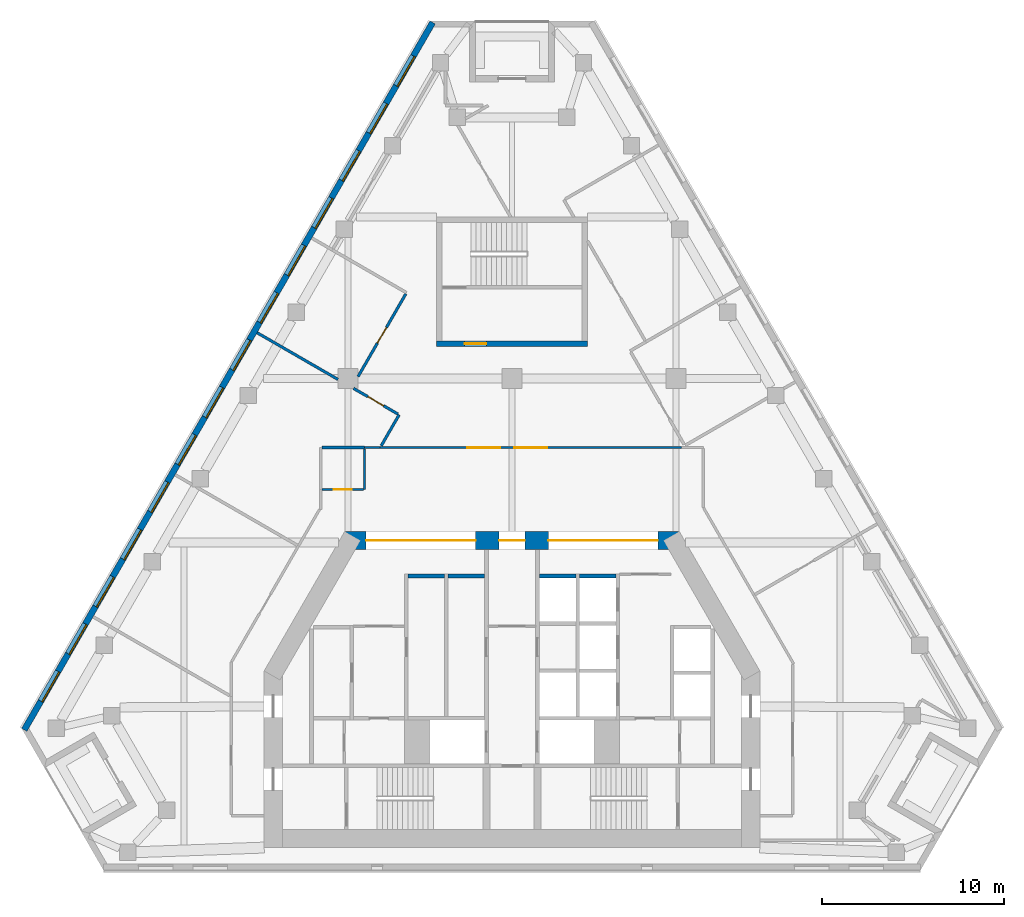
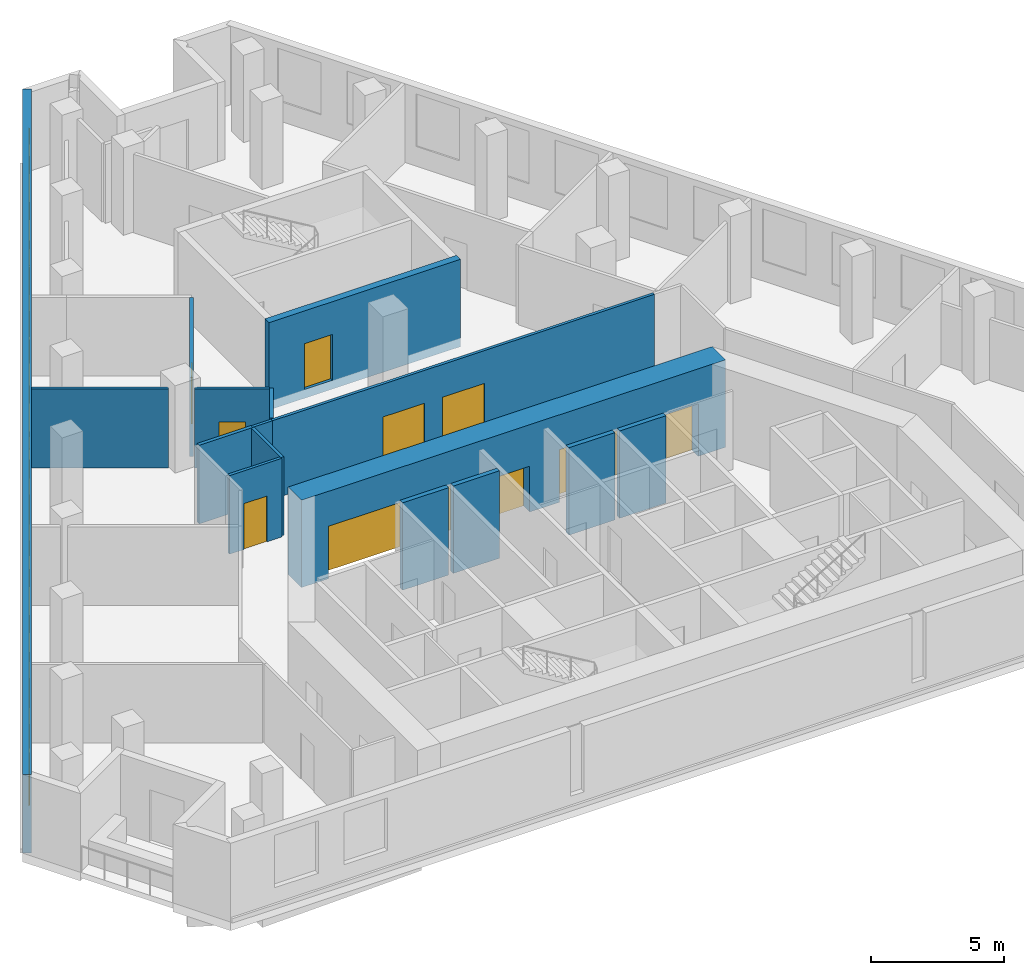
# One storey, part 4 of 8: 16 walls, 14 windows, 9 doors, 23 openings.
"""IFC4 building model written with IfcOpenShell, lengths in metres."""

from ifc_helpers import new_model, si_unit, direction, frame, frame_2d, origin, place, context, subcontext, project, spatial, rectangle, extrude, material, layer, layer_set, type_object, element, fill, save


model = new_model("IFC4")

# Units and contexts
model_context = context("Model", 3, precision=1e-05, world=origin(), true_north=direction((0.0, 1.0)))
body_context = subcontext(model_context, "Body", "Model", "MODEL_VIEW")
ifc_project = project(units=[si_unit("LENGTHUNIT", "METRE"), si_unit("AREAUNIT", "SQUARE_METRE"), si_unit("VOLUMEUNIT", "CUBIC_METRE"), si_unit("PLANEANGLEUNIT", "RADIAN"), si_unit("MASSUNIT", "GRAM", prefix="KILO")], contexts=[model_context])

# Site, building, storey
site_placement = place(None, origin())
site = spatial("IfcSite", under=ifc_project, at=site_placement, CompositionType="ELEMENT")
building_placement = place(site_placement, origin())
building = spatial("IfcBuilding", under=site, at=building_placement, Name="Fogline Exchange Tower", CompositionType="ELEMENT")
storey_placement = place(building_placement, frame((0.0, 0.0, 227.5)))
storey = spatial("IfcBuildingStorey", under=building, at=storey_placement, Name="L51", CompositionType="ELEMENT", Elevation=227.5)

# Walls
ifc_material_1 = material(Name="Concrete C40", Category="concrete")
ifc_layer_1 = layer(ifc_material_1, 0.199951171875)
ifc_layer_set_1 = layer_set([ifc_layer_1], Name="CW20S")
wall_type_1 = type_object("IfcWallType", Name="CW20S", PredefinedType="SOLIDWALL", material=ifc_layer_set_1)
for number, where, z_axis, x_axis, name in (
    (1, (-5.699951171875, 16.14990234375, -0.39990234375), (0.0, 0.0, 1.0), (1.0, 0.0, 0.0), "Lift shaft wall"),
    (2, (-3.5, 16.14990234375, -0.39990234375), (0.0, 0.0, 1.0), (1.0, 0.0, 0.0), "Lift shaft wall"),
    (3, (3.699951171875, 16.14990234375, -0.39990234375), (0.0, 0.0, 1.0), (1.0, 0.0, 0.0), "Lift shaft wall"),
    (4, (1.5, 16.14990234375, -0.39990234375), (0.0, 0.0, 1.0), (1.0, 0.0, 0.0), "Lift shaft wall"),
):
    element("IfcWall", number, at=place(storey_placement, frame(where, z_axis=z_axis, x_axis=x_axis)), inside=storey, type_object=wall_type_1, Name=name, PredefinedType="SOLIDWALL", context=body_context, shape_type="SweptSolid", body=[
        extrude(rectangle(XDim=2.0, YDim=0.199951171875, at=frame_2d((1.0, 0.0))), origin(), (0.0, 0.0, 1.0), 4.0),
    ])

# Wall, opening, door
ifc_layer_2 = layer(ifc_material_1, 0.300048828125)
ifc_layer_set_2 = layer_set([ifc_layer_2], Name="CW30")
wall_type_2 = type_object("IfcWallType", Name="CW30", PredefinedType="SOLIDWALL", material=ifc_layer_set_2)
wall_1_placement = place(storey_placement, frame((-4.14990234375, 28.906982421875, -0.39990234375), z_axis=(0.0, 0.0, 1.0), x_axis=(1.0, 0.0, 0.0)))
wall_1 = element("IfcWall", 5, at=wall_1_placement, inside=storey, type_object=wall_type_2, Name="Stair enclosure wall ST3", PredefinedType="SOLIDWALL", context=body_context, shape_type="SweptSolid", body=[
    extrude(rectangle(XDim=8.2998046875, YDim=0.300048828125, at=frame_2d((4.14990234375, 0.0))), origin(), (0.0, 0.0, 1.0), 4.0),
])
opening_1_placement = place(wall_1_placement, frame((1.550048828125, 0.0, 0.39990234375)))
opening_1 = element("IfcOpeningElement", 6, at=opening_1_placement, cuts=wall_1, Name="Opening T16-C022", PredefinedType="OPENING", context=body_context, shape_type="SweptSolid", body=[
    extrude(rectangle(XDim=1.199951171875, YDim=2.10009765625, at=frame_2d((0.60009765625, 1.050048828125))), frame((0.0, 0.16015625, 0.0), z_axis=(0.0, -1.0, 0.0), x_axis=(1.0, 0.0, 0.0)), (0.0, 0.0, 1.0), 0.320068359375),
])
ifc_material_2 = material(Name="Steel and timber fire door", Category="steel")
door_type_1 = type_object("IfcDoorType", Name="D-FR1", OperationType="SINGLE_SWING_RIGHT", PredefinedType="DOOR", material=ifc_material_2)
door_1_placement = place(opening_1_placement, origin())
door_1 = element("IfcDoor", 7, at=door_1_placement, inside=storey, type_object=door_type_1, Name="Front room door ST3", OperationType="SINGLE_SWING_LEFT", OverallHeight=2.10009765625, OverallWidth=1.199951171875, PredefinedType="DOOR", context=body_context, shape_type="SweptSolid", body=[
    extrude(rectangle(XDim=1.199951171875, YDim=2.10009765625, at=frame_2d((0.60009765625, 1.050048828125))), frame((0.0, 0.02490234375, 0.0), z_axis=(0.0, -1.0, 0.0), x_axis=(1.0, 0.0, 0.0)), (0.0, 0.0, 1.0), 0.050048828125),
])
fill(opening_1, door_1)

# Wall, openings, windows
ifc_material_3 = material(Name="Brick masonry", Category="masonry")
ifc_layer_3 = layer(ifc_material_3, 0.340087890625)
ifc_layer_set_3 = layer_set([ifc_layer_3], Name="FW1")
wall_type_3 = type_object("IfcWallType", Name="FW1", PredefinedType="SOLIDWALL", material=ifc_layer_set_3)
wall_2_placement = place(storey_placement, frame((-4.352783203125, 46.53173828125, 0.0), z_axis=(0.0, 0.0, 1.0), x_axis=(-0.499997926022, -0.866026601193, 0.0)))
wall_2 = element("IfcWall", 8, at=wall_2_placement, inside=storey, type_object=wall_type_3, Name="Brick wall L51 W", PredefinedType="SOLIDWALL", context=body_context, shape_type="SweptSolid", body=[
    extrude(rectangle(XDim=44.828369140625, YDim=0.340087890625, at=frame_2d((22.4140625, 0.0))), origin(), (0.0, 0.0, 1.0), 3.60009765625),
])
opening_2_placement = place(wall_2_placement, frame((2.12109375, 0.0, 0.89990234375)))
opening_2 = element("IfcOpeningElement", 9, at=opening_2_placement, cuts=wall_2, Name="Opening W1", PredefinedType="OPENING", context=body_context, shape_type="SweptSolid", body=[
    extrude(rectangle(XDim=1.885009765625, YDim=2.39990234375, at=frame_2d((0.9423828125, 1.199951171875))), frame((0.0, 0.18017578125, 0.0), z_axis=(0.0, -1.0, 0.0), x_axis=(1.0, 0.0, 0.0)), (0.0, 0.0, 1.0), 0.360107421875),
])
opening_3_placement = place(wall_2_placement, frame((5.12109375, 0.0, 0.89990234375)))
opening_3 = element("IfcOpeningElement", 10, at=opening_3_placement, cuts=wall_2, Name="Opening W1", PredefinedType="OPENING", context=body_context, shape_type="SweptSolid", body=[
    extrude(rectangle(XDim=1.885009765625, YDim=2.39990234375, at=frame_2d((0.9423828125, 1.199951171875))), frame((0.0, 0.18017578125, 0.0), z_axis=(0.0, -1.0, 0.0), x_axis=(1.0, 0.0, 0.0)), (0.0, 0.0, 1.0), 0.360107421875),
])
opening_4_placement = place(wall_2_placement, frame((8.12109375, 0.0, 0.89990234375)))
opening_4 = element("IfcOpeningElement", 11, at=opening_4_placement, cuts=wall_2, Name="Opening W1", PredefinedType="OPENING", context=body_context, shape_type="SweptSolid", body=[
    extrude(rectangle(XDim=1.885009765625, YDim=2.39990234375, at=frame_2d((0.9423828125, 1.199951171875))), frame((0.0, 0.18017578125, 0.0), z_axis=(0.0, -1.0, 0.0), x_axis=(1.0, 0.0, 0.0)), (0.0, 0.0, 1.0), 0.360107421875),
])
opening_5_placement = place(wall_2_placement, frame((11.12109375, 0.0, 0.89990234375)))
opening_5 = element("IfcOpeningElement", 12, at=opening_5_placement, cuts=wall_2, Name="Opening W1", PredefinedType="OPENING", context=body_context, shape_type="SweptSolid", body=[
    extrude(rectangle(XDim=1.885009765625, YDim=2.39990234375, at=frame_2d((0.9423828125, 1.199951171875))), frame((0.0, 0.18017578125, 0.0), z_axis=(0.0, -1.0, 0.0), x_axis=(1.0, 0.0, 0.0)), (0.0, 0.0, 1.0), 0.360107421875),
])
opening_6_placement = place(wall_2_placement, frame((14.12109375, 0.0, 0.89990234375)))
opening_6 = element("IfcOpeningElement", 13, at=opening_6_placement, cuts=wall_2, Name="Opening W1", PredefinedType="OPENING", context=body_context, shape_type="SweptSolid", body=[
    extrude(rectangle(XDim=1.885009765625, YDim=2.39990234375, at=frame_2d((0.9423828125, 1.199951171875))), frame((0.0, 0.18017578125, 0.0), z_axis=(0.0, -1.0, 0.0), x_axis=(1.0, 0.0, 0.0)), (0.0, 0.0, 1.0), 0.360107421875),
])
opening_7_placement = place(wall_2_placement, frame((17.12109375, 0.0, 0.89990234375)))
opening_7 = element("IfcOpeningElement", 14, at=opening_7_placement, cuts=wall_2, Name="Opening W1", PredefinedType="OPENING", context=body_context, shape_type="SweptSolid", body=[
    extrude(rectangle(XDim=1.885009765625, YDim=2.39990234375, at=frame_2d((0.9423828125, 1.199951171875))), frame((0.0, 0.18017578125, 0.0), z_axis=(0.0, -1.0, 0.0), x_axis=(1.0, 0.0, 0.0)), (0.0, 0.0, 1.0), 0.360107421875),
])
opening_8_placement = place(wall_2_placement, frame((20.12109375, 0.0, 0.89990234375)))
opening_8 = element("IfcOpeningElement", 15, at=opening_8_placement, cuts=wall_2, Name="Opening W1", PredefinedType="OPENING", context=body_context, shape_type="SweptSolid", body=[
    extrude(rectangle(XDim=1.885009765625, YDim=2.39990234375, at=frame_2d((0.9423828125, 1.199951171875))), frame((0.0, 0.18017578125, 0.0), z_axis=(0.0, -1.0, 0.0), x_axis=(1.0, 0.0, 0.0)), (0.0, 0.0, 1.0), 0.360107421875),
])
opening_9_placement = place(wall_2_placement, frame((23.12109375, 0.0, 0.89990234375)))
opening_9 = element("IfcOpeningElement", 16, at=opening_9_placement, cuts=wall_2, Name="Opening W1", PredefinedType="OPENING", context=body_context, shape_type="SweptSolid", body=[
    extrude(rectangle(XDim=1.885009765625, YDim=2.39990234375, at=frame_2d((0.9423828125, 1.199951171875))), frame((0.0, 0.18017578125, 0.0), z_axis=(0.0, -1.0, 0.0), x_axis=(1.0, 0.0, 0.0)), (0.0, 0.0, 1.0), 0.360107421875),
])
opening_10_placement = place(wall_2_placement, frame((26.12109375, 0.0, 0.89990234375)))
opening_10 = element("IfcOpeningElement", 17, at=opening_10_placement, cuts=wall_2, Name="Opening W1", PredefinedType="OPENING", context=body_context, shape_type="SweptSolid", body=[
    extrude(rectangle(XDim=1.885009765625, YDim=2.39990234375, at=frame_2d((0.9423828125, 1.199951171875))), frame((0.0, 0.18017578125, 0.0), z_axis=(0.0, -1.0, 0.0), x_axis=(1.0, 0.0, 0.0)), (0.0, 0.0, 1.0), 0.360107421875),
])
opening_11_placement = place(wall_2_placement, frame((29.12109375, 0.0, 0.89990234375)))
opening_11 = element("IfcOpeningElement", 18, at=opening_11_placement, cuts=wall_2, Name="Opening W1", PredefinedType="OPENING", context=body_context, shape_type="SweptSolid", body=[
    extrude(rectangle(XDim=1.885009765625, YDim=2.39990234375, at=frame_2d((0.9423828125, 1.199951171875))), frame((0.0, 0.18017578125, 0.0), z_axis=(0.0, -1.0, 0.0), x_axis=(1.0, 0.0, 0.0)), (0.0, 0.0, 1.0), 0.360107421875),
])
opening_12_placement = place(wall_2_placement, frame((32.12109375, 0.0, 0.89990234375)))
opening_12 = element("IfcOpeningElement", 19, at=opening_12_placement, cuts=wall_2, Name="Opening W1", PredefinedType="OPENING", context=body_context, shape_type="SweptSolid", body=[
    extrude(rectangle(XDim=1.885009765625, YDim=2.39990234375, at=frame_2d((0.9423828125, 1.199951171875))), frame((0.0, 0.18017578125, 0.0), z_axis=(0.0, -1.0, 0.0), x_axis=(1.0, 0.0, 0.0)), (0.0, 0.0, 1.0), 0.360107421875),
])
opening_13_placement = place(wall_2_placement, frame((35.12109375, 0.0, 0.89990234375)))
opening_13 = element("IfcOpeningElement", 20, at=opening_13_placement, cuts=wall_2, Name="Opening W1", PredefinedType="OPENING", context=body_context, shape_type="SweptSolid", body=[
    extrude(rectangle(XDim=1.885009765625, YDim=2.39990234375, at=frame_2d((0.9423828125, 1.199951171875))), frame((0.0, 0.18017578125, 0.0), z_axis=(0.0, -1.0, 0.0), x_axis=(1.0, 0.0, 0.0)), (0.0, 0.0, 1.0), 0.360107421875),
])
opening_14_placement = place(wall_2_placement, frame((38.12109375, 0.0, 0.89990234375)))
opening_14 = element("IfcOpeningElement", 21, at=opening_14_placement, cuts=wall_2, Name="Opening W1", PredefinedType="OPENING", context=body_context, shape_type="SweptSolid", body=[
    extrude(rectangle(XDim=1.885009765625, YDim=2.39990234375, at=frame_2d((0.9423828125, 1.199951171875))), frame((0.0, 0.18017578125, 0.0), z_axis=(0.0, -1.0, 0.0), x_axis=(1.0, 0.0, 0.0)), (0.0, 0.0, 1.0), 0.360107421875),
])
opening_15_placement = place(wall_2_placement, frame((41.12109375, 0.0, 0.89990234375)))
opening_15 = element("IfcOpeningElement", 22, at=opening_15_placement, cuts=wall_2, Name="Opening W1", PredefinedType="OPENING", context=body_context, shape_type="SweptSolid", body=[
    extrude(rectangle(XDim=1.885009765625, YDim=2.39990234375, at=frame_2d((0.9423828125, 1.199951171875))), frame((0.0, 0.18017578125, 0.0), z_axis=(0.0, -1.0, 0.0), x_axis=(1.0, 0.0, 0.0)), (0.0, 0.0, 1.0), 0.360107421875),
])
ifc_material_4 = material(Name="Aluminium and glass", Category="aluminium")
window_type = type_object("IfcWindowType", Name="W1", PartitioningType="SINGLE_PANEL", PredefinedType="WINDOW", material=ifc_material_4)
window_1_placement = place(opening_2_placement, origin())
window_1 = element("IfcWindow", 23, at=window_1_placement, inside=storey, type_object=window_type, Name="W1 W1", OverallHeight=2.39990234375, OverallWidth=1.885009765625, PartitioningType="SINGLE_PANEL", PredefinedType="WINDOW", context=body_context, shape_type="SweptSolid", body=[
    extrude(rectangle(XDim=1.885009765625, YDim=2.39990234375, at=frame_2d((0.9423828125, 1.199951171875))), frame((0.0, 0.110107421875, 0.0), z_axis=(0.0, -1.0, 0.0), x_axis=(1.0, 0.0, 0.0)), (0.0, 0.0, 1.0), 0.06005859375),
])
fill(opening_2, window_1)
window_2_placement = place(opening_3_placement, origin())
window_2 = element("IfcWindow", 24, at=window_2_placement, inside=storey, type_object=window_type, Name="W1 W1", OverallHeight=2.39990234375, OverallWidth=1.885009765625, PartitioningType="SINGLE_PANEL", PredefinedType="WINDOW", context=body_context, shape_type="SweptSolid", body=[
    extrude(rectangle(XDim=1.885009765625, YDim=2.39990234375, at=frame_2d((0.9423828125, 1.199951171875))), frame((0.0, 0.110107421875, 0.0), z_axis=(0.0, -1.0, 0.0), x_axis=(1.0, 0.0, 0.0)), (0.0, 0.0, 1.0), 0.06005859375),
])
fill(opening_3, window_2)
window_3_placement = place(opening_4_placement, origin())
window_3 = element("IfcWindow", 25, at=window_3_placement, inside=storey, type_object=window_type, Name="W1 W1", OverallHeight=2.39990234375, OverallWidth=1.885009765625, PartitioningType="SINGLE_PANEL", PredefinedType="WINDOW", context=body_context, shape_type="SweptSolid", body=[
    extrude(rectangle(XDim=1.885009765625, YDim=2.39990234375, at=frame_2d((0.9423828125, 1.199951171875))), frame((0.0, 0.110107421875, 0.0), z_axis=(0.0, -1.0, 0.0), x_axis=(1.0, 0.0, 0.0)), (0.0, 0.0, 1.0), 0.06005859375),
])
fill(opening_4, window_3)
window_4_placement = place(opening_5_placement, origin())
window_4 = element("IfcWindow", 26, at=window_4_placement, inside=storey, type_object=window_type, Name="W1 W1", OverallHeight=2.39990234375, OverallWidth=1.885009765625, PartitioningType="SINGLE_PANEL", PredefinedType="WINDOW", context=body_context, shape_type="SweptSolid", body=[
    extrude(rectangle(XDim=1.885009765625, YDim=2.39990234375, at=frame_2d((0.9423828125, 1.199951171875))), frame((0.0, 0.110107421875, 0.0), z_axis=(0.0, -1.0, 0.0), x_axis=(1.0, 0.0, 0.0)), (0.0, 0.0, 1.0), 0.06005859375),
])
fill(opening_5, window_4)
window_5_placement = place(opening_6_placement, origin())
window_5 = element("IfcWindow", 27, at=window_5_placement, inside=storey, type_object=window_type, Name="W1 W1", OverallHeight=2.39990234375, OverallWidth=1.885009765625, PartitioningType="SINGLE_PANEL", PredefinedType="WINDOW", context=body_context, shape_type="SweptSolid", body=[
    extrude(rectangle(XDim=1.885009765625, YDim=2.39990234375, at=frame_2d((0.9423828125, 1.199951171875))), frame((0.0, 0.110107421875, 0.0), z_axis=(0.0, -1.0, 0.0), x_axis=(1.0, 0.0, 0.0)), (0.0, 0.0, 1.0), 0.06005859375),
])
fill(opening_6, window_5)
window_6_placement = place(opening_7_placement, origin())
window_6 = element("IfcWindow", 28, at=window_6_placement, inside=storey, type_object=window_type, Name="W1 W1", OverallHeight=2.39990234375, OverallWidth=1.885009765625, PartitioningType="SINGLE_PANEL", PredefinedType="WINDOW", context=body_context, shape_type="SweptSolid", body=[
    extrude(rectangle(XDim=1.885009765625, YDim=2.39990234375, at=frame_2d((0.9423828125, 1.199951171875))), frame((0.0, 0.110107421875, 0.0), z_axis=(0.0, -1.0, 0.0), x_axis=(1.0, 0.0, 0.0)), (0.0, 0.0, 1.0), 0.06005859375),
])
fill(opening_7, window_6)
window_7_placement = place(opening_8_placement, origin())
window_7 = element("IfcWindow", 29, at=window_7_placement, inside=storey, type_object=window_type, Name="W1 W1", OverallHeight=2.39990234375, OverallWidth=1.885009765625, PartitioningType="SINGLE_PANEL", PredefinedType="WINDOW", context=body_context, shape_type="SweptSolid", body=[
    extrude(rectangle(XDim=1.885009765625, YDim=2.39990234375, at=frame_2d((0.9423828125, 1.199951171875))), frame((0.0, 0.110107421875, 0.0), z_axis=(0.0, -1.0, 0.0), x_axis=(1.0, 0.0, 0.0)), (0.0, 0.0, 1.0), 0.06005859375),
])
fill(opening_8, window_7)
window_8_placement = place(opening_9_placement, origin())
window_8 = element("IfcWindow", 30, at=window_8_placement, inside=storey, type_object=window_type, Name="W1 W1", OverallHeight=2.39990234375, OverallWidth=1.885009765625, PartitioningType="SINGLE_PANEL", PredefinedType="WINDOW", context=body_context, shape_type="SweptSolid", body=[
    extrude(rectangle(XDim=1.885009765625, YDim=2.39990234375, at=frame_2d((0.9423828125, 1.199951171875))), frame((0.0, 0.110107421875, 0.0), z_axis=(0.0, -1.0, 0.0), x_axis=(1.0, 0.0, 0.0)), (0.0, 0.0, 1.0), 0.06005859375),
])
fill(opening_9, window_8)
window_9_placement = place(opening_10_placement, origin())
window_9 = element("IfcWindow", 31, at=window_9_placement, inside=storey, type_object=window_type, Name="W1 W1", OverallHeight=2.39990234375, OverallWidth=1.885009765625, PartitioningType="SINGLE_PANEL", PredefinedType="WINDOW", context=body_context, shape_type="SweptSolid", body=[
    extrude(rectangle(XDim=1.885009765625, YDim=2.39990234375, at=frame_2d((0.9423828125, 1.199951171875))), frame((0.0, 0.110107421875, 0.0), z_axis=(0.0, -1.0, 0.0), x_axis=(1.0, 0.0, 0.0)), (0.0, 0.0, 1.0), 0.06005859375),
])
fill(opening_10, window_9)
window_10_placement = place(opening_11_placement, origin())
window_10 = element("IfcWindow", 32, at=window_10_placement, inside=storey, type_object=window_type, Name="W1 W1", OverallHeight=2.39990234375, OverallWidth=1.885009765625, PartitioningType="SINGLE_PANEL", PredefinedType="WINDOW", context=body_context, shape_type="SweptSolid", body=[
    extrude(rectangle(XDim=1.885009765625, YDim=2.39990234375, at=frame_2d((0.9423828125, 1.199951171875))), frame((0.0, 0.110107421875, 0.0), z_axis=(0.0, -1.0, 0.0), x_axis=(1.0, 0.0, 0.0)), (0.0, 0.0, 1.0), 0.06005859375),
])
fill(opening_11, window_10)
window_11_placement = place(opening_12_placement, origin())
window_11 = element("IfcWindow", 33, at=window_11_placement, inside=storey, type_object=window_type, Name="W1 W1", OverallHeight=2.39990234375, OverallWidth=1.885009765625, PartitioningType="SINGLE_PANEL", PredefinedType="WINDOW", context=body_context, shape_type="SweptSolid", body=[
    extrude(rectangle(XDim=1.885009765625, YDim=2.39990234375, at=frame_2d((0.9423828125, 1.199951171875))), frame((0.0, 0.110107421875, 0.0), z_axis=(0.0, -1.0, 0.0), x_axis=(1.0, 0.0, 0.0)), (0.0, 0.0, 1.0), 0.06005859375),
])
fill(opening_12, window_11)
window_12_placement = place(opening_13_placement, origin())
window_12 = element("IfcWindow", 34, at=window_12_placement, inside=storey, type_object=window_type, Name="W1 W1", OverallHeight=2.39990234375, OverallWidth=1.885009765625, PartitioningType="SINGLE_PANEL", PredefinedType="WINDOW", context=body_context, shape_type="SweptSolid", body=[
    extrude(rectangle(XDim=1.885009765625, YDim=2.39990234375, at=frame_2d((0.9423828125, 1.199951171875))), frame((0.0, 0.110107421875, 0.0), z_axis=(0.0, -1.0, 0.0), x_axis=(1.0, 0.0, 0.0)), (0.0, 0.0, 1.0), 0.06005859375),
])
fill(opening_13, window_12)
window_13_placement = place(opening_14_placement, origin())
window_13 = element("IfcWindow", 35, at=window_13_placement, inside=storey, type_object=window_type, Name="W1 W1", OverallHeight=2.39990234375, OverallWidth=1.885009765625, PartitioningType="SINGLE_PANEL", PredefinedType="WINDOW", context=body_context, shape_type="SweptSolid", body=[
    extrude(rectangle(XDim=1.885009765625, YDim=2.39990234375, at=frame_2d((0.9423828125, 1.199951171875))), frame((0.0, 0.110107421875, 0.0), z_axis=(0.0, -1.0, 0.0), x_axis=(1.0, 0.0, 0.0)), (0.0, 0.0, 1.0), 0.06005859375),
])
fill(opening_14, window_13)
window_14_placement = place(opening_15_placement, origin())
window_14 = element("IfcWindow", 36, at=window_14_placement, inside=storey, type_object=window_type, Name="W1 W1", OverallHeight=2.39990234375, OverallWidth=1.885009765625, PartitioningType="SINGLE_PANEL", PredefinedType="WINDOW", context=body_context, shape_type="SweptSolid", body=[
    extrude(rectangle(XDim=1.885009765625, YDim=2.39990234375, at=frame_2d((0.9423828125, 1.199951171875))), frame((0.0, 0.110107421875, 0.0), z_axis=(0.0, -1.0, 0.0), x_axis=(1.0, 0.0, 0.0)), (0.0, 0.0, 1.0), 0.06005859375),
])
fill(opening_15, window_14)

# Wall, openings, doors
ifc_material_5 = material(Name="Plasterboard corridor partition with mineral wool, 2 layers each side")
ifc_layer_4 = layer(ifc_material_5, 0.125)
ifc_layer_set_4 = layer_set([ifc_layer_4], Name="PW2")
wall_type_4 = type_object("IfcWallType", Name="PW2", PredefinedType="PARTITIONING", material=ifc_layer_set_4)
wall_3_placement = place(storey_placement, frame((-7.234619140625, 23.199951171875, 0.0), z_axis=(0.0, 0.0, 1.0), x_axis=(1.0, 0.0, 0.0)))
wall_3 = element("IfcWall", 37, at=wall_3_placement, inside=storey, type_object=wall_type_4, Name="wall-L51-W007", PredefinedType="PARTITIONING", context=body_context, shape_type="SweptSolid", body=[
    extrude(rectangle(XDim=16.533203125, YDim=0.125, at=frame_2d((8.2666015625, 0.0))), origin(), (0.0, 0.0, 1.0), 3.60009765625),
])
opening_16_placement = place(wall_3_placement, frame((4.77880859375, 0.0, 0.0)))
opening_16 = element("IfcOpeningElement", 38, at=opening_16_placement, cuts=wall_3, Name="Opening T16-D002", PredefinedType="OPENING", context=body_context, shape_type="SweptSolid", body=[
    extrude(rectangle(XDim=1.800048828125, YDim=2.10009765625, at=frame_2d((0.89990234375, 1.050048828125))), frame((0.0, 0.072509765625, 0.0), z_axis=(0.0, -1.0, 0.0), x_axis=(1.0, 0.0, 0.0)), (0.0, 0.0, 1.0), 0.14501953125),
])
opening_17_placement = place(wall_3_placement, frame((7.36669921875, 0.0, 0.0)))
opening_17 = element("IfcOpeningElement", 39, at=opening_17_placement, cuts=wall_3, Name="Opening T16-D003", PredefinedType="OPENING", context=body_context, shape_type="SweptSolid", body=[
    extrude(rectangle(XDim=1.800048828125, YDim=2.10009765625, at=frame_2d((0.89990234375, 1.050048828125))), frame((0.0, 0.072509765625, 0.0), z_axis=(0.0, -1.0, 0.0), x_axis=(1.0, 0.0, 0.0)), (0.0, 0.0, 1.0), 0.14501953125),
])
ifc_material_6 = material(Name="Fire-rated timber door leaves with steel frame", Category="steel")
door_type_2 = type_object("IfcDoorType", Name="D4", OperationType="DOUBLE_DOOR_SINGLE_SWING", PredefinedType="DOOR", material=ifc_material_6)
door_2_placement = place(opening_16_placement, frame((1.800048828125, 0.0, 0.0), z_axis=(0.0, 0.0, 1.0), x_axis=(-1.0, 0.0, 0.0)))
door_2 = element("IfcDoor", 40, at=door_2_placement, inside=storey, type_object=door_type_2, Name="door-L51-D002", OperationType="DOUBLE_DOOR_SINGLE_SWING", OverallHeight=2.10009765625, OverallWidth=1.800048828125, PredefinedType="DOOR", context=body_context, shape_type="SweptSolid", body=[
    extrude(rectangle(XDim=1.800048828125, YDim=2.10009765625, at=frame_2d((0.89990234375, 1.050048828125))), frame((0.0, 0.02490234375, 0.0), z_axis=(0.0, -1.0, 0.0), x_axis=(1.0, 0.0, 0.0)), (0.0, 0.0, 1.0), 0.050048828125),
])
fill(opening_16, door_2)
door_3_placement = place(opening_17_placement, frame((1.800048828125, 0.0, 0.0), z_axis=(0.0, 0.0, 1.0), x_axis=(-1.0, 0.0, 0.0)))
door_3 = element("IfcDoor", 41, at=door_3_placement, inside=storey, type_object=door_type_2, Name="door-L51-D003", OperationType="DOUBLE_DOOR_SINGLE_SWING", OverallHeight=2.10009765625, OverallWidth=1.800048828125, PredefinedType="DOOR", context=body_context, shape_type="SweptSolid", body=[
    extrude(rectangle(XDim=1.800048828125, YDim=2.10009765625, at=frame_2d((0.89990234375, 1.050048828125))), frame((0.0, 0.02490234375, 0.0), z_axis=(0.0, -1.0, 0.0), x_axis=(1.0, 0.0, 0.0)), (0.0, 0.0, 1.0), 0.050048828125),
])
fill(opening_17, door_3)

# Wall
wall_4_placement = place(storey_placement, frame((-8.10009765625, 23.199951171875, 0.0), z_axis=(0.0, 0.0, 1.0), x_axis=(1.0, 0.0, 0.0)))
element("IfcWall", 42, at=wall_4_placement, inside=storey, type_object=wall_type_4, Name="wall-L51-W009", PredefinedType="PARTITIONING", context=body_context, shape_type="SweptSolid", body=[
    extrude(rectangle(XDim=0.865478515625, YDim=0.125, at=frame_2d((0.4326171875, 0.0))), origin(), (0.0, 0.0, 1.0), 3.60009765625),
])

# Wall, opening, door
wall_5_placement = place(storey_placement, frame((-10.425048828125, 20.89990234375, 0.0), z_axis=(0.0, 0.0, 1.0), x_axis=(1.0, 0.0, 0.0)))
wall_5 = element("IfcWall", 43, at=wall_5_placement, inside=storey, type_object=wall_type_4, Name="wall-L51-W010", PredefinedType="PARTITIONING", context=body_context, shape_type="SweptSolid", body=[
    extrude(rectangle(XDim=2.262451171875, YDim=0.125, at=frame_2d((1.13134765625, 0.0))), origin(), (0.0, 0.0, 1.0), 3.60009765625),
])
opening_18_placement = place(wall_5_placement, frame((0.63134765625, 0.0, 0.0)))
opening_18 = element("IfcOpeningElement", 44, at=opening_18_placement, cuts=wall_5, Name="Opening T16-D004", PredefinedType="OPENING", context=body_context, shape_type="SweptSolid", body=[
    extrude(rectangle(XDim=1.0, YDim=2.10009765625, at=frame_2d((0.5, 1.050048828125))), frame((0.0, 0.072509765625, 0.0), z_axis=(0.0, -1.0, 0.0), x_axis=(1.0, 0.0, 0.0)), (0.0, 0.0, 1.0), 0.14501953125),
])
ifc_material_7 = material(Name="Fire-rated timber door leaf with steel frame", Category="steel")
door_type_3 = type_object("IfcDoorType", Name="D3", OperationType="SINGLE_SWING_LEFT", PredefinedType="DOOR", material=ifc_material_7)
door_4_placement = place(opening_18_placement, origin())
door_4 = element("IfcDoor", 45, at=door_4_placement, inside=storey, type_object=door_type_3, Name="door-L51-D004", OperationType="SINGLE_SWING_LEFT", OverallHeight=2.10009765625, OverallWidth=1.0, PredefinedType="DOOR", context=body_context, shape_type="SweptSolid", body=[
    extrude(rectangle(XDim=1.0, YDim=2.10009765625, at=frame_2d((0.5, 1.050048828125))), frame((0.0, 0.02490234375, 0.0), z_axis=(0.0, -1.0, 0.0), x_axis=(1.0, 0.0, 0.0)), (0.0, 0.0, 1.0), 0.050048828125),
])
fill(opening_18, door_4)

# Wall
wall_6_placement = place(storey_placement, frame((-8.10009765625, 20.89990234375, 0.0), z_axis=(0.0, 0.0, 1.0), x_axis=(0.0, 1.0, 0.0)))
element("IfcWall", 46, at=wall_6_placement, inside=storey, type_object=wall_type_4, Name="wall-L51-W011", PredefinedType="PARTITIONING", context=body_context, shape_type="SweptSolid", body=[
    extrude(rectangle(XDim=2.22509765625, YDim=0.125, at=frame_2d((1.112548828125, 0.0))), origin(), (0.0, 0.0, 1.0), 3.60009765625),
])

# Wall, opening, door
ifc_material_8 = material(Name="Plasterboard demising partition with mineral wool and acoustic board")
ifc_layer_5 = layer(ifc_material_8, 0.14990234375)
ifc_layer_set_5 = layer_set([ifc_layer_5], Name="PW3")
wall_type_5 = type_object("IfcWallType", Name="PW3", PredefinedType="PARTITIONING", material=ifc_layer_set_5)
wall_7_placement = place(storey_placement, frame((-8.449951171875, 27.09521484375, 0.0), z_axis=(0.0, 0.0, 1.0), x_axis=(0.500005998957, 0.866021940257, 0.0)))
wall_7 = element("IfcWall", 47, at=wall_7_placement, inside=storey, type_object=wall_type_5, Name="wall-L51-W034", PredefinedType="PARTITIONING", context=body_context, shape_type="SweptSolid", body=[
    extrude(rectangle(XDim=5.2421875, YDim=0.14990234375, at=frame_2d((2.62109375, 0.0))), origin(), (0.0, 0.0, 1.0), 3.60009765625),
])
opening_19_placement = place(wall_7_placement, frame((2.12109375, 0.0, 0.0)))
opening_19 = element("IfcOpeningElement", 48, at=opening_19_placement, cuts=wall_7, Name="Opening T16-D012", PredefinedType="OPENING", context=body_context, shape_type="SweptSolid", body=[
    extrude(rectangle(XDim=1.0, YDim=2.10009765625, at=frame_2d((0.5, 1.050048828125))), frame((0.0, 0.0849609375, 0.0), z_axis=(0.0, -1.0, 0.0), x_axis=(1.0, 0.0, 0.0)), (0.0, 0.0, 1.0), 0.169921875),
])
door_5_placement = place(opening_19_placement, origin())
door_5 = element("IfcDoor", 49, at=door_5_placement, inside=storey, type_object=door_type_3, Name="door-L51-D012", OperationType="SINGLE_SWING_LEFT", OverallHeight=2.10009765625, OverallWidth=1.0, PredefinedType="DOOR", context=body_context, shape_type="SweptSolid", body=[
    extrude(rectangle(XDim=1.0, YDim=2.10009765625, at=frame_2d((0.5, 1.050048828125))), frame((0.0, 0.02490234375, 0.0), z_axis=(0.0, -1.0, 0.0), x_axis=(1.0, 0.0, 0.0)), (0.0, 0.0, 1.0), 0.050048828125),
])
fill(opening_19, door_5)

# Wall
wall_8_placement = place(storey_placement, frame((-7.1767578125, 23.30029296875, 0.0), z_axis=(0.0, 0.0, 1.0), x_axis=(0.500023253097, 0.866011978186, 0.0)))
element("IfcWall", 50, at=wall_8_placement, inside=storey, type_object=wall_type_5, Name="wall-L51-W036", PredefinedType="PARTITIONING", context=body_context, shape_type="SweptSolid", body=[
    extrude(rectangle(XDim=1.96728515625, YDim=0.14990234375, at=frame_2d((0.983642578125, 0.0))), origin(), (0.0, 0.0, 1.0), 3.60009765625),
])

# Wall, opening, door
wall_9_placement = place(storey_placement, frame((-6.25830078125, 25.04150390625, 0.0), z_axis=(0.0, 0.0, 1.0), x_axis=(-0.866021046153, 0.500007547564, 0.0)))
wall_9 = element("IfcWall", 51, at=wall_9_placement, inside=storey, type_object=wall_type_5, Name="wall-L51-W037", PredefinedType="PARTITIONING", context=body_context, shape_type="SweptSolid", body=[
    extrude(rectangle(XDim=2.81689453125, YDim=0.14990234375, at=frame_2d((1.408447265625, 0.0))), origin(), (0.0, 0.0, 1.0), 3.60009765625),
])
opening_20_placement = place(wall_9_placement, frame((0.908447265625, 0.0, 0.0)))
opening_20 = element("IfcOpeningElement", 52, at=opening_20_placement, cuts=wall_9, Name="Opening T16-D013", PredefinedType="OPENING", context=body_context, shape_type="SweptSolid", body=[
    extrude(rectangle(XDim=1.0, YDim=2.10009765625, at=frame_2d((0.5, 1.050048828125))), frame((0.0, 0.0849609375, 0.0), z_axis=(0.0, -1.0, 0.0), x_axis=(1.0, 0.0, 0.0)), (0.0, 0.0, 1.0), 0.169921875),
])
door_6_placement = place(opening_20_placement, origin())
door_6 = element("IfcDoor", 53, at=door_6_placement, inside=storey, type_object=door_type_3, Name="door-L51-D013", OperationType="SINGLE_SWING_LEFT", OverallHeight=2.10009765625, OverallWidth=1.0, PredefinedType="DOOR", context=body_context, shape_type="SweptSolid", body=[
    extrude(rectangle(XDim=1.0, YDim=2.10009765625, at=frame_2d((0.5, 1.050048828125))), frame((0.0, 0.02490234375, 0.0), z_axis=(0.0, -1.0, 0.0), x_axis=(1.0, 0.0, 0.0)), (0.0, 0.0, 1.0), 0.050048828125),
])
fill(opening_20, door_6)

# Walls
wall_10_placement = place(storey_placement, frame((-9.550048828125, 26.94189453125, 0.0), z_axis=(0.0, 0.0, 1.0), x_axis=(-0.866011809644, 0.500023545002, 0.0)))
element("IfcWall", 54, at=wall_10_placement, inside=storey, type_object=wall_type_5, Name="wall-L51-W039", PredefinedType="PARTITIONING", context=body_context, shape_type="SweptSolid", body=[
    extrude(rectangle(XDim=5.123779296875, YDim=0.14990234375, at=frame_2d((2.56201171875, 0.0))), origin(), (0.0, 0.0, 1.0), 3.60009765625),
])
wall_11_placement = place(storey_placement, frame((-8.10009765625, 23.199951171875, 0.0), z_axis=(0.0, 0.0, 1.0), x_axis=(-1.0, 0.0, 0.0)))
element("IfcWall", 55, at=wall_11_placement, inside=storey, type_object=wall_type_5, Name="wall-L51-W040", PredefinedType="PARTITIONING", context=body_context, shape_type="SweptSolid", body=[
    extrude(rectangle(XDim=2.324951171875, YDim=0.14990234375, at=frame_2d((1.16259765625, 0.0))), origin(), (0.0, 0.0, 1.0), 3.60009765625),
])

# Wall, openings, doors
ifc_material_9 = material(Name="Concrete C60", Category="concrete")
ifc_layer_6 = layer(ifc_material_9, 1.0)
ifc_layer_set_6 = layer_set([ifc_layer_6], Name="SW03")
wall_type_6 = type_object("IfcWallType", Name="SW03", PredefinedType="SHEAR", material=ifc_layer_set_6)
wall_12_placement = place(storey_placement, frame((9.1806640625, 18.10009765625, 0.0), z_axis=(0.0, 0.0, 1.0), x_axis=(-1.0, 0.0, 0.0)))
wall_12 = element("IfcWall", 56, at=wall_12_placement, inside=storey, type_object=wall_type_6, Name="L51-W904", PredefinedType="SHEAR", context=body_context, shape_type="SweptSolid", body=[
    extrude(rectangle(XDim=18.361328125, YDim=1.0, at=frame_2d((9.1806640625, 0.0))), origin(), (0.0, 0.0, 1.0), 4.0),
])
opening_21_placement = place(wall_12_placement, frame((8.480712890625, 0.0, 0.0)))
opening_21 = element("IfcOpeningElement", 57, at=opening_21_placement, cuts=wall_12, Name="Opening T16-C019", PredefinedType="OPENING", context=body_context, shape_type="SweptSolid", body=[
    extrude(rectangle(XDim=1.39990234375, YDim=2.10009765625, at=frame_2d((0.699951171875, 1.050048828125))), frame((0.0, 0.510009765625, 0.0), z_axis=(0.0, -1.0, 0.0), x_axis=(1.0, 0.0, 0.0)), (0.0, 0.0, 1.0), 1.02001953125),
])
opening_22_placement = place(wall_12_placement, frame((11.1806640625, 0.0, 0.0)))
opening_22 = element("IfcOpeningElement", 58, at=opening_22_placement, cuts=wall_12, Name="Opening T16-C020", PredefinedType="OPENING", context=body_context, shape_type="SweptSolid", body=[
    extrude(rectangle(XDim=6.0, YDim=2.39990234375, at=frame_2d((3.0, 1.199951171875))), frame((0.0, 0.510009765625, 0.0), z_axis=(0.0, -1.0, 0.0), x_axis=(1.0, 0.0, 0.0)), (0.0, 0.0, 1.0), 1.02001953125),
])
opening_23_placement = place(wall_12_placement, frame((1.1806640625, 0.0, 0.0)))
opening_23 = element("IfcOpeningElement", 59, at=opening_23_placement, cuts=wall_12, Name="Opening T16-C021", PredefinedType="OPENING", context=body_context, shape_type="SweptSolid", body=[
    extrude(rectangle(XDim=6.0, YDim=2.39990234375, at=frame_2d((3.0, 1.199951171875))), frame((0.0, 0.510009765625, 0.0), z_axis=(0.0, -1.0, 0.0), x_axis=(1.0, 0.0, 0.0)), (0.0, 0.0, 1.0), 1.02001953125),
])
door_type_4 = type_object("IfcDoorType", Name="D-LB1", OperationType="DOUBLE_DOOR_SINGLE_SWING", PredefinedType="DOOR", material=ifc_material_2)
door_7_placement = place(opening_21_placement, origin())
door_7 = element("IfcDoor", 60, at=door_7_placement, inside=storey, type_object=door_type_4, Name="Protected lobby door", OperationType="DOUBLE_DOOR_SINGLE_SWING", OverallHeight=2.10009765625, OverallWidth=1.39990234375, PredefinedType="DOOR", context=body_context, shape_type="SweptSolid", body=[
    extrude(rectangle(XDim=1.39990234375, YDim=2.10009765625, at=frame_2d((0.699951171875, 1.050048828125))), frame((0.0, 0.02490234375, 0.0), z_axis=(0.0, -1.0, 0.0), x_axis=(1.0, 0.0, 0.0)), (0.0, 0.0, 1.0), 0.050048828125),
])
fill(opening_21, door_7)
door_type_5 = type_object("IfcDoorType", Name="D-LE1", OperationType="DOUBLE_DOOR_SLIDING", PredefinedType="DOOR", material=ifc_material_2)
door_8_placement = place(opening_22_placement, origin())
door_8 = element("IfcDoor", 61, at=door_8_placement, inside=storey, type_object=door_type_5, Name="Lift lobby entrance west", OperationType="DOUBLE_DOOR_SLIDING", OverallHeight=2.39990234375, OverallWidth=6.0, PredefinedType="DOOR", context=body_context, shape_type="SweptSolid", body=[
    extrude(rectangle(XDim=6.0, YDim=2.39990234375, at=frame_2d((3.0, 1.199951171875))), frame((0.0, 0.02490234375, 0.0), z_axis=(0.0, -1.0, 0.0), x_axis=(1.0, 0.0, 0.0)), (0.0, 0.0, 1.0), 0.050048828125),
])
fill(opening_22, door_8)
door_9_placement = place(opening_23_placement, origin())
door_9 = element("IfcDoor", 62, at=door_9_placement, inside=storey, type_object=door_type_5, Name="Lift lobby entrance east", OperationType="DOUBLE_DOOR_SLIDING", OverallHeight=2.39990234375, OverallWidth=6.0, PredefinedType="DOOR", context=body_context, shape_type="SweptSolid", body=[
    extrude(rectangle(XDim=6.0, YDim=2.39990234375, at=frame_2d((3.0, 1.199951171875))), frame((0.0, 0.02490234375, 0.0), z_axis=(0.0, -1.0, 0.0), x_axis=(1.0, 0.0, 0.0)), (0.0, 0.0, 1.0), 0.050048828125),
])
fill(opening_23, door_9)

save(model, "model.ifc")
